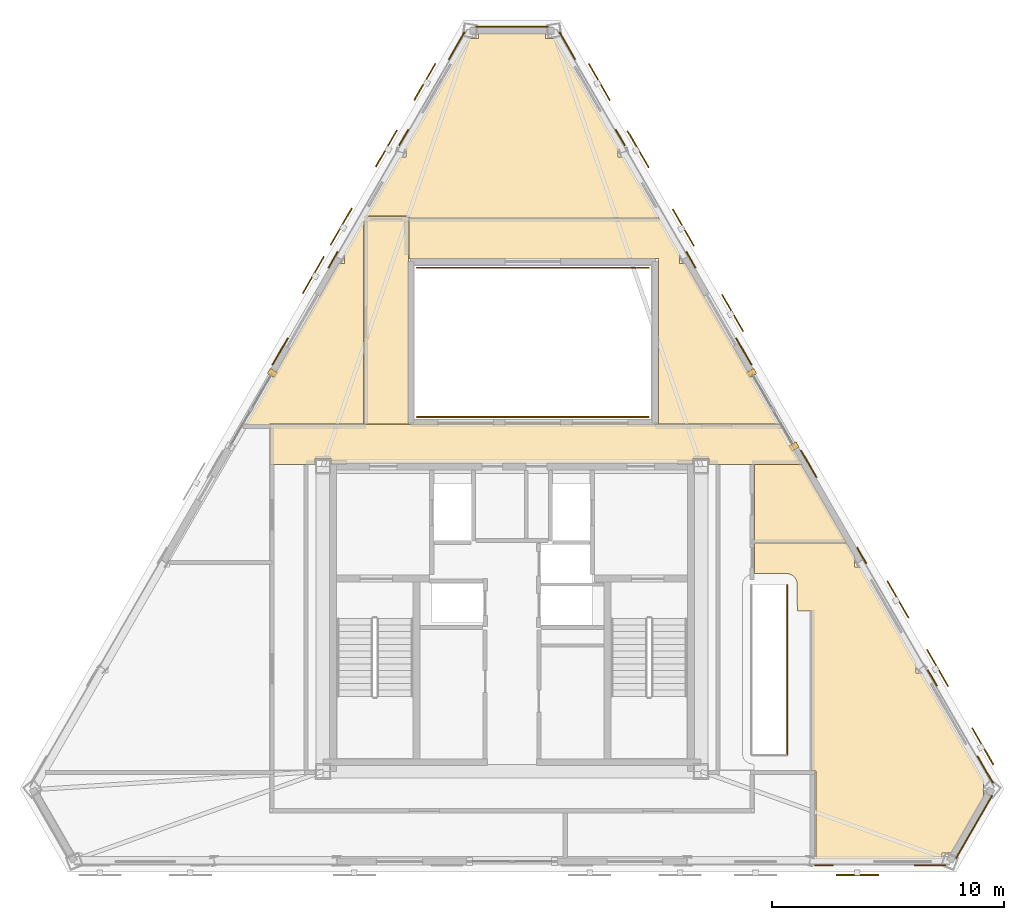
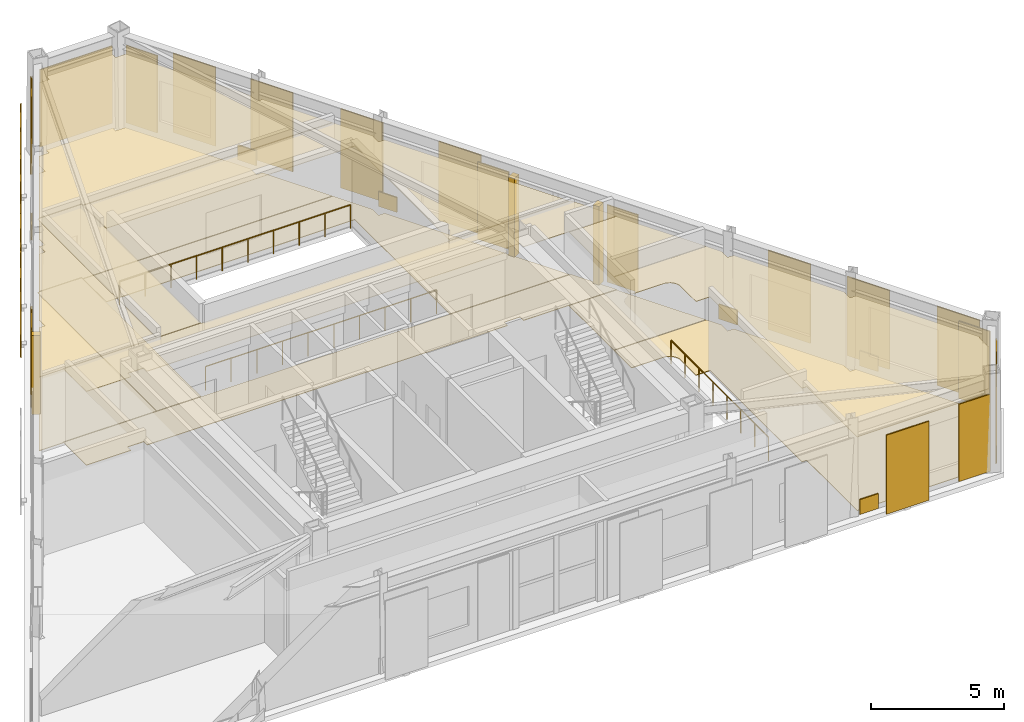
# One storey, part 14 of 14: 33 coverings, 12 shading devices, 3 railings.
"""IFC4 building model written with IfcOpenShell, lengths in metres."""

from ifc_helpers import new_model, si_unit, direction, frame, origin, origin_2d, place, context, subcontext, project, spatial, polyline, rectangle, circle, outline, extrude, material, layer, layer_set, type_object, element, save


model = new_model("IFC4")

# Units and contexts
model_context = context("Model", 3, precision=1e-05, world=origin(), true_north=direction((0.0, 1.0)))
body_context = subcontext(model_context, "Body", "Model", "MODEL_VIEW")
ifc_project = project(units=[si_unit("LENGTHUNIT", "METRE"), si_unit("AREAUNIT", "SQUARE_METRE"), si_unit("VOLUMEUNIT", "CUBIC_METRE"), si_unit("PLANEANGLEUNIT", "RADIAN"), si_unit("MASSUNIT", "GRAM", prefix="KILO")], contexts=[model_context])

# Site, building, storey
site_placement = place(None, origin())
site = spatial("IfcSite", under=ifc_project, at=site_placement, CompositionType="ELEMENT")
building_placement = place(site_placement, origin())
building = spatial("IfcBuilding", under=site, at=building_placement, Name="Oramaril Tower", CompositionType="ELEMENT")
storey_placement = place(building_placement, frame((0.0, 0.0, 309.60009765625)))
storey = spatial("IfcBuildingStorey", under=building, at=storey_placement, Name="L81", CompositionType="ELEMENT", Elevation=309.60009765625)

# Coverings
ifc_material_1 = material(Name="Mineral Fibre Acoustic Ceiling")
ifc_layer_1 = layer(ifc_material_1, 0.02001953125)
ifc_layer_set_1 = layer_set([ifc_layer_1], Name="CVT-CEIL")
covering_type_1 = type_object("IfcCoveringType", Name="CVT-CEIL", PredefinedType="CEILING", material=ifc_layer_set_1)
covering_1_placement = place(storey_placement, frame((0.0, 0.0, 3.371826171875)))
element("IfcCovering", 1, at=covering_1_placement, inside=storey, type_object=covering_type_1, Name="L81 Acoustic Suspended Ceiling 2", PredefinedType="CEILING", context=body_context, shape_type="SweptSolid", body=[
    extrude(outline(polyline([(27.070068359375, 25.9599609375), (49.036376953125, 25.9599609375), (50.029296875, 24.239990234375), (45.9951171875, 24.239990234375), (45.9951171875, 24.4951171875), (45.304931640625, 24.4951171875), (45.304931640625, 24.25), (29.695068359375, 24.25), (29.695068359375, 24.4951171875), (29.0048828125, 24.4951171875), (29.0048828125, 24.239990234375), (27.070068359375, 24.239990234375), (27.070068359375, 25.9599609375)])), origin(), (0.0, 0.0, 1.0), 0.02001953125),
])
covering_2_placement = place(storey_placement, frame((0.0, 0.0, 3.371826171875)))
element("IfcCovering", 2, at=covering_2_placement, inside=storey, type_object=covering_type_1, Name="L81 Acoustic Suspended Ceiling 4", PredefinedType="CEILING", context=body_context, shape_type="SweptSolid", body=[
    extrude(outline(polyline([(33.030029296875, 34.929931640625), (33.030029296875, 25.97998046875), (31.1201171875, 25.97998046875), (31.1201171875, 34.929931640625), (33.030029296875, 34.929931640625)])), origin(), (0.0, 0.0, 1.0), 0.02001953125),
])
covering_3_placement = place(storey_placement, frame((0.0, 0.0, 3.371826171875)))
element("IfcCovering", 3, at=covering_3_placement, inside=storey, type_object=covering_type_1, Name="L81 Acoustic Suspended Ceiling 10", PredefinedType="CEILING", context=body_context, shape_type="SweptSolid", body=[
    extrude(outline(polyline([(30.282470703125, 32.906005859375), (30.282470703125, 33.339111328125), (30.267822265625, 33.339111328125), (31.10009765625, 34.780517578125), (31.10009765625, 25.97998046875), (27.070068359375, 25.97998046875), (27.068115234375, 25.97998046875), (27.066162109375, 25.9794921875), (27.064208984375, 25.97900390625), (27.062255859375, 25.978515625), (27.060546875, 25.9775390625), (27.058837890625, 25.9765625), (27.057373046875, 25.9755859375), (27.055908203125, 25.97412109375), (27.054443359375, 25.97265625), (27.053466796875, 25.97119140625), (27.052490234375, 25.969482421875), (27.051513671875, 25.9677734375), (27.05078125, 25.9658203125), (27.05029296875, 25.9638671875), (27.050048828125, 25.9619140625), (27.050048828125, 25.9599609375), (27.050048828125, 25.94189453125), (25.997314453125, 25.94189453125), (30.017822265625, 32.906005859375), (30.282470703125, 32.906005859375)])), origin(), (0.0, 0.0, 1.0), 0.02001953125),
])
covering_4_placement = place(storey_placement, frame((0.0, 0.0, 3.371826171875)))
element("IfcCovering", 4, at=covering_4_placement, inside=storey, type_object=covering_type_1, Name="L81 Acoustic Suspended Ceiling 11", PredefinedType="CEILING", context=body_context, shape_type="SweptSolid", body=[
    extrude(outline(polyline([(51.93798828125, 20.85791015625), (47.949951171875, 20.85791015625), (47.949951171875, 24.219970703125), (49.9970703125, 24.219970703125), (51.93798828125, 20.85791015625)])), origin(), (0.0, 0.0, 1.0), 0.02001953125),
])
covering_5_placement = place(storey_placement, frame((0.0, 0.0, 3.371826171875)))
element("IfcCovering", 5, at=covering_5_placement, inside=storey, type_object=covering_type_1, Name="L81 Acoustic Suspended Ceiling 12", PredefinedType="CEILING", context=body_context, shape_type="SweptSolid", body=[
    extrude(outline(polyline([(52.28076171875, 20.2646484375), (52.274658203125, 20.2646484375), (52.274658203125, 19.816650390625), (52.539306640625, 19.816650390625), (54.922607421875, 15.6884765625), (54.919677734375, 15.6884765625), (54.919677734375, 15.235595703125), (55.18408203125, 15.235595703125), (57.876708984375, 10.572021484375), (57.828857421875, 10.572021484375), (57.828857421875, 9.88623046875), (57.85009765625, 9.88623046875), (56.46337890625, 7.484375), (56.051513671875, 7.484375), (56.051513671875, 7.21728515625), (50.612060546875, 7.21728515625), (50.612060546875, 10.991943359375), (50.61181640625, 10.993896484375), (50.611572265625, 10.995849609375), (50.611083984375, 10.997802734375), (50.610595703125, 10.999755859375), (50.609619140625, 11.00146484375), (50.608642578125, 11.003173828125), (50.607421875, 11.004638671875), (50.606201171875, 11.006103515625), (50.604736328125, 11.007568359375), (50.60302734375, 11.008544921875), (50.601318359375, 11.009521484375), (50.599609375, 11.010498046875), (50.597900390625, 11.010986328125), (50.595947265625, 11.01171875), (50.593994140625, 11.011962890625), (50.592041015625, 11.011962890625), (50.407958984375, 11.011962890625), (50.407958984375, 17.907958984375), (49.8037109375, 17.907958984375), (49.79248046875, 19.146240234375), (49.766357421875, 19.232421875), (49.72216796875, 19.314697265625), (49.662841796875, 19.38720703125), (49.591796875, 19.4453125), (49.461669921875, 19.507080078125), (49.37158203125, 19.52490234375), (47.949951171875, 19.52734375), (47.949951171875, 20.837890625), (51.93798828125, 20.837890625), (51.940185546875, 20.838134765625), (51.94189453125, 20.83837890625), (51.944091796875, 20.8388671875), (51.94580078125, 20.839599609375), (51.947509765625, 20.84033203125), (51.947998046875, 20.8408203125), (52.28076171875, 20.2646484375)])), origin(), (0.0, 0.0, 1.0), 0.02001953125),
])
covering_6_placement = place(storey_placement, frame((0.0, 0.0, 3.371826171875)))
element("IfcCovering", 6, at=covering_6_placement, inside=storey, type_object=covering_type_1, Name="L81 Acoustic Suspended Ceiling 13", PredefinedType="CEILING", context=body_context, shape_type="SweptSolid", body=[
    extrude(outline(polyline([(43.864501953125, 34.842041015625), (44.73193359375, 33.339111328125), (44.717529296875, 33.339111328125), (44.717529296875, 32.906005859375), (44.982177734375, 32.906005859375), (48.98095703125, 25.97998046875), (43.80810546875, 25.97998046875), (43.80810546875, 33.10791015625), (33.050048828125, 33.10791015625), (33.050048828125, 34.842041015625), (43.864501953125, 34.842041015625)])), origin(), (0.0, 0.0, 1.0), 0.02001953125),
])
covering_7_placement = place(storey_placement, frame((0.0, 0.0, 3.371826171875)))
element("IfcCovering", 7, at=covering_7_placement, inside=storey, type_object=covering_type_1, Name="L81 Acoustic Suspended Ceiling 14", PredefinedType="CEILING", context=body_context, shape_type="SweptSolid", body=[
    extrude(outline(polyline([(32.927490234375, 37.4873046875), (32.927490234375, 37.915283203125), (32.909912109375, 37.915283203125), (35.6201171875, 42.609375), (36.063720703125, 42.609375), (36.063720703125, 42.830810546875), (38.936279296875, 42.830810546875), (38.936279296875, 42.609375), (39.3798828125, 42.609375), (42.090087890625, 37.915283203125), (42.072509765625, 37.915283203125), (42.072509765625, 37.4873046875), (42.33740234375, 37.4873046875), (43.852783203125, 34.862060546875), (33.050048828125, 34.862060546875), (33.050048828125, 34.929931640625), (33.0498046875, 34.931884765625), (33.049560546875, 34.933837890625), (33.049072265625, 34.935791015625), (33.048583984375, 34.937744140625), (33.047607421875, 34.939453125), (33.046630859375, 34.941162109375), (33.04541015625, 34.942626953125), (33.044189453125, 34.944091796875), (33.042724609375, 34.945556640625), (33.041015625, 34.946533203125), (33.039306640625, 34.947509765625), (33.03759765625, 34.948486328125), (33.035888671875, 34.94921875), (33.033935546875, 34.94970703125), (33.031982421875, 34.949951171875), (33.030029296875, 34.949951171875), (31.197998046875, 34.949951171875), (32.662841796875, 37.4873046875), (32.927490234375, 37.4873046875)])), origin(), (0.0, 0.0, 1.0), 0.02001953125),
])
ifc_material_2 = material(Name="Warm Cream Limestone", Category="masonry")
ifc_layer_2 = layer(ifc_material_2, 0.050048828125)
ifc_layer_set_2 = layer_set([ifc_layer_2], Name="CVT-CLD")
covering_type_2 = type_object("IfcCoveringType", Name="CVT-CLD", PredefinedType="CLADDING", material=ifc_layer_set_2)
covering_8_placement = place(storey_placement, frame((55.521484375, 6.941162109375, 0.039794921875), z_axis=(0.0, 0.0, 1.0), x_axis=(1.0, 0.0, 0.0)))
element("IfcCovering", 8, at=covering_8_placement, inside=storey, type_object=covering_type_2, Name="L81 Warm Cream Limestone Cladding", PredefinedType="CLADDING", context=body_context, shape_type="SweptSolid", body=[
    extrude(rectangle(XDim=1.35009765625, YDim=0.050048828125, at=origin_2d()), origin(), (0.0, 0.0, 1.0), 3.5380859375),
])
covering_9_placement = place(storey_placement, frame((50.956787109375, 6.941162109375, 0.0400390625), z_axis=(0.0, 0.0, 1.0), x_axis=(1.0, 0.0, 0.0)))
element("IfcCovering", 9, at=covering_9_placement, inside=storey, type_object=covering_type_2, Name="L81 Warm Cream Limestone Spandrel Cladding", PredefinedType="CLADDING", context=body_context, shape_type="SweptSolid", body=[
    extrude(rectangle(XDim=0.800048828125, YDim=0.050048828125, at=origin_2d()), origin(), (0.0, 0.0, 1.0), 0.679931640625),
])
covering_10_placement = place(storey_placement, frame((57.42431640625, 8.5966796875, 0.039794921875), z_axis=(0.0, 0.0, 1.0), x_axis=(0.499989419466, 0.866031512372, 0.0)))
element("IfcCovering", 10, at=covering_10_placement, inside=storey, type_object=covering_type_2, Name="L81 Warm Cream Limestone Cladding", PredefinedType="CLADDING", context=body_context, shape_type="SweptSolid", body=[
    extrude(rectangle(XDim=3.129150390625, YDim=0.050048828125, at=origin_2d()), origin(), (0.0, 0.0, 1.0), 3.5380859375),
])
for number, where, z_axis, x_axis, name in (
    (11, (49.665283203125, 25.010498046875, 0.0), (0.0, 0.0, 1.0), (-0.5, 0.866025403784, 0.0), "L81 Curtain Wall Limestone Jamb Closure"),
    (12, (47.835205078125, 28.18017578125, 0.0), (0.0, 0.0, 1.0), (-0.5, 0.866025403784, 0.0), "L81 Curtain Wall Limestone Jamb Closure"),
):
    element("IfcCovering", number, at=place(storey_placement, frame(where, z_axis=z_axis, x_axis=x_axis)), inside=storey, type_object=covering_type_2, Name=name, PredefinedType="CLADDING", context=body_context, shape_type="SweptSolid", body=[
        extrude(rectangle(XDim=0.260009765625, YDim=0.340087890625, at=origin_2d()), origin(), (0.0, 0.0, 1.0), 3.617919921875),
    ])
for number, where, z_axis, x_axis, name in (
    (13, (57.906494140625, 11.072265625, 0.039794921875), (0.0, 0.0, 1.0), (-0.5, 0.866025403784, 0.0), "L81 Warm Cream Limestone Cladding"),
    (14, (50.2958984375, 24.25439453125, 0.039794921875), (0.0, 0.0, 1.0), (-0.5, 0.866025403784, 0.0), "L81 Warm Cream Limestone Cladding"),
):
    element("IfcCovering", number, at=place(storey_placement, frame(where, z_axis=z_axis, x_axis=x_axis)), inside=storey, type_object=covering_type_2, Name=name, PredefinedType="CLADDING", context=body_context, shape_type="SweptSolid", body=[
        extrude(rectangle(XDim=1.35009765625, YDim=0.050048828125, at=origin_2d()), origin(), (0.0, 0.0, 1.0), 3.5380859375),
    ])
for number, where, z_axis, x_axis, name in (
    (15, (55.6240234375, 15.025390625, 0.0400390625), (0.0, 0.0, 1.0), (-0.5, 0.866025403784, 0.0), "L81 Warm Cream Limestone Spandrel Cladding"),
    (16, (52.578369140625, 20.30126953125, 0.0400390625), (0.0, 0.0, 1.0), (-0.5, 0.866025403784, 0.0), "L81 Warm Cream Limestone Spandrel Cladding"),
):
    element("IfcCovering", number, at=place(storey_placement, frame(where, z_axis=z_axis, x_axis=x_axis)), inside=storey, type_object=covering_type_2, Name=name, PredefinedType="CLADDING", context=body_context, shape_type="SweptSolid", body=[
        extrude(rectangle(XDim=0.800048828125, YDim=0.050048828125, at=origin_2d()), origin(), (0.0, 0.0, 1.0), 0.679931640625),
    ])
for number, where, z_axis, x_axis, name in (
    (17, (47.495849609375, 29.104248046875, 0.039794921875), (0.0, 0.0, 1.0), (-0.5, 0.866025403784, 0.0), "L81 Warm Cream Limestone Cladding"),
    (18, (39.885009765625, 42.28662109375, 0.039794921875), (0.0, 0.0, 1.0), (-0.5, 0.866025403784, 0.0), "L81 Warm Cream Limestone Cladding"),
):
    element("IfcCovering", number, at=place(storey_placement, frame(where, z_axis=z_axis, x_axis=x_axis)), inside=storey, type_object=covering_type_2, Name=name, PredefinedType="CLADDING", context=body_context, shape_type="SweptSolid", body=[
        extrude(rectangle(XDim=1.35009765625, YDim=0.050048828125, at=origin_2d()), origin(), (0.0, 0.0, 1.0), 3.5380859375),
    ])
for number, where, z_axis, x_axis, name in (
    (19, (45.21337890625, 33.0576171875, 0.0400390625), (0.0, 0.0, 1.0), (-0.5, 0.866025403784, 0.0), "L81 Warm Cream Limestone Spandrel Cladding"),
    (20, (42.16748046875, 38.333251953125, 0.0400390625), (0.0, 0.0, 1.0), (-0.5, 0.866025403784, 0.0), "L81 Warm Cream Limestone Spandrel Cladding"),
):
    element("IfcCovering", number, at=place(storey_placement, frame(where, z_axis=z_axis, x_axis=x_axis)), inside=storey, type_object=covering_type_2, Name=name, PredefinedType="CLADDING", context=body_context, shape_type="SweptSolid", body=[
        extrude(rectangle(XDim=0.800048828125, YDim=0.050048828125, at=origin_2d()), origin(), (0.0, 0.0, 1.0), 0.679931640625),
    ])
covering_11_placement = place(storey_placement, frame((37.5, 43.106689453125, 0.039794921875), z_axis=(0.0, 0.0, 1.0), x_axis=(-1.0, 0.0, 0.0)))
element("IfcCovering", 21, at=covering_11_placement, inside=storey, type_object=covering_type_2, Name="L81 Warm Cream Limestone Cladding", PredefinedType="CLADDING", context=body_context, shape_type="SweptSolid", body=[
    extrude(rectangle(XDim=3.12890625, YDim=0.050048828125, at=origin_2d()), origin(), (0.0, 0.0, 1.0), 3.5380859375),
])
covering_12_placement = place(storey_placement, frame((27.164794921875, 28.180419921875, 0.0), z_axis=(0.0, 0.0, 1.0), x_axis=(-0.5, -0.866025403784, 0.0)))
element("IfcCovering", 22, at=covering_12_placement, inside=storey, type_object=covering_type_2, Name="L81 Curtain Wall Limestone Jamb Closure", PredefinedType="CLADDING", context=body_context, shape_type="SweptSolid", body=[
    extrude(rectangle(XDim=0.260009765625, YDim=0.340087890625, at=origin_2d()), origin(), (0.0, 0.0, 1.0), 3.617919921875),
])
for number, where, z_axis, x_axis, name in (
    (23, (35.114990234375, 42.28662109375, 0.039794921875), (0.0, 0.0, 1.0), (-0.5, -0.866025403784, 0.0), "L81 Warm Cream Limestone Cladding"),
    (24, (27.504150390625, 29.104248046875, 0.039794921875), (0.0, 0.0, 1.0), (-0.5, -0.866025403784, 0.0), "L81 Warm Cream Limestone Cladding"),
):
    element("IfcCovering", number, at=place(storey_placement, frame(where, z_axis=z_axis, x_axis=x_axis)), inside=storey, type_object=covering_type_2, Name=name, PredefinedType="CLADDING", context=body_context, shape_type="SweptSolid", body=[
        extrude(rectangle(XDim=1.35009765625, YDim=0.050048828125, at=origin_2d()), origin(), (0.0, 0.0, 1.0), 3.5380859375),
    ])
for number, where, z_axis, x_axis, name in (
    (25, (32.83251953125, 38.333251953125, 0.0400390625), (0.0, 0.0, 1.0), (-0.5, -0.866025403784, 0.0), "L81 Warm Cream Limestone Spandrel Cladding"),
    (26, (29.78662109375, 33.0576171875, 0.0400390625), (0.0, 0.0, 1.0), (-0.5, -0.866025403784, 0.0), "L81 Warm Cream Limestone Spandrel Cladding"),
):
    element("IfcCovering", number, at=place(storey_placement, frame(where, z_axis=z_axis, x_axis=x_axis)), inside=storey, type_object=covering_type_2, Name=name, PredefinedType="CLADDING", context=body_context, shape_type="SweptSolid", body=[
        extrude(rectangle(XDim=0.800048828125, YDim=0.050048828125, at=origin_2d()), origin(), (0.0, 0.0, 1.0), 0.679931640625),
    ])
ifc_material_3 = material(Name="Honed Quartzite Stone Flooring", Category="masonry")
ifc_layer_3 = layer(ifc_material_3, 0.02490234375)
ifc_layer_set_3 = layer_set([ifc_layer_3], Name="CVT-FLR")
covering_type_3 = type_object("IfcCoveringType", Name="CVT-FLR", PredefinedType="FLOORING", material=ifc_layer_set_3)
covering_13_placement = place(storey_placement, origin())
element("IfcCovering", 27, at=covering_13_placement, inside=storey, type_object=covering_type_3, Name="L81 Honed Stone Floor Finish 2", PredefinedType="FLOORING", context=body_context, shape_type="SweptSolid", body=[
    extrude(outline(polyline([(27.070068359375, 25.9599609375), (49.036376953125, 25.9599609375), (50.029296875, 24.239990234375), (45.9951171875, 24.239990234375), (45.9951171875, 24.4951171875), (45.304931640625, 24.4951171875), (45.304931640625, 24.25), (29.695068359375, 24.25), (29.695068359375, 24.4951171875), (29.0048828125, 24.4951171875), (29.0048828125, 24.239990234375), (27.070068359375, 24.239990234375), (27.070068359375, 25.9599609375)])), origin(), (0.0, 0.0, 1.0), 0.02490234375),
])
covering_14_placement = place(storey_placement, origin())
element("IfcCovering", 28, at=covering_14_placement, inside=storey, type_object=covering_type_3, Name="L81 Honed Stone Floor Finish 4", PredefinedType="FLOORING", context=body_context, shape_type="SweptSolid", body=[
    extrude(outline(polyline([(33.030029296875, 34.929931640625), (33.030029296875, 25.97998046875), (31.1201171875, 25.97998046875), (31.1201171875, 34.929931640625), (33.030029296875, 34.929931640625)])), origin(), (0.0, 0.0, 1.0), 0.02490234375),
])
covering_15_placement = place(storey_placement, origin())
element("IfcCovering", 29, at=covering_15_placement, inside=storey, type_object=covering_type_3, Name="L81 Honed Stone Floor Finish 10", PredefinedType="FLOORING", context=body_context, shape_type="SweptSolid", body=[
    extrude(outline(polyline([(30.282470703125, 32.906005859375), (30.282470703125, 33.339111328125), (30.267822265625, 33.339111328125), (31.10009765625, 34.780517578125), (31.10009765625, 25.97998046875), (27.070068359375, 25.97998046875), (27.068115234375, 25.97998046875), (27.066162109375, 25.9794921875), (27.064208984375, 25.97900390625), (27.062255859375, 25.978515625), (27.060546875, 25.9775390625), (27.058837890625, 25.9765625), (27.057373046875, 25.9755859375), (27.055908203125, 25.97412109375), (27.054443359375, 25.97265625), (27.053466796875, 25.97119140625), (27.052490234375, 25.969482421875), (27.051513671875, 25.9677734375), (27.05078125, 25.9658203125), (27.05029296875, 25.9638671875), (27.050048828125, 25.9619140625), (27.050048828125, 25.9599609375), (27.050048828125, 25.94189453125), (25.997314453125, 25.94189453125), (30.017822265625, 32.906005859375), (30.282470703125, 32.906005859375)])), origin(), (0.0, 0.0, 1.0), 0.02490234375),
])
covering_16_placement = place(storey_placement, origin())
element("IfcCovering", 30, at=covering_16_placement, inside=storey, type_object=covering_type_3, Name="L81 Honed Stone Floor Finish 11", PredefinedType="FLOORING", context=body_context, shape_type="SweptSolid", body=[
    extrude(outline(polyline([(51.93798828125, 20.85791015625), (47.949951171875, 20.85791015625), (47.949951171875, 24.219970703125), (49.9970703125, 24.219970703125), (51.93798828125, 20.85791015625)])), origin(), (0.0, 0.0, 1.0), 0.02490234375),
])
covering_17_placement = place(storey_placement, origin())
element("IfcCovering", 31, at=covering_17_placement, inside=storey, type_object=covering_type_3, Name="L81 Honed Stone Floor Finish 12", PredefinedType="FLOORING", context=body_context, shape_type="SweptSolid", body=[
    extrude(outline(polyline([(52.28076171875, 20.2646484375), (52.274658203125, 20.2646484375), (52.274658203125, 19.816650390625), (52.539306640625, 19.816650390625), (54.922607421875, 15.6884765625), (54.919677734375, 15.6884765625), (54.919677734375, 15.235595703125), (55.18408203125, 15.235595703125), (57.876708984375, 10.572021484375), (57.828857421875, 10.572021484375), (57.828857421875, 9.88623046875), (57.85009765625, 9.88623046875), (56.46337890625, 7.484375), (56.051513671875, 7.484375), (56.051513671875, 7.21728515625), (50.612060546875, 7.21728515625), (50.612060546875, 10.991943359375), (50.61181640625, 10.993896484375), (50.611572265625, 10.995849609375), (50.611083984375, 10.997802734375), (50.610595703125, 10.999755859375), (50.609619140625, 11.00146484375), (50.608642578125, 11.003173828125), (50.607421875, 11.004638671875), (50.606201171875, 11.006103515625), (50.604736328125, 11.007568359375), (50.60302734375, 11.008544921875), (50.601318359375, 11.009521484375), (50.599609375, 11.010498046875), (50.597900390625, 11.010986328125), (50.595947265625, 11.01171875), (50.593994140625, 11.011962890625), (50.592041015625, 11.011962890625), (50.407958984375, 11.011962890625), (50.407958984375, 17.907958984375), (49.8037109375, 17.907958984375), (49.79248046875, 19.146240234375), (49.766357421875, 19.232421875), (49.72216796875, 19.314697265625), (49.662841796875, 19.38720703125), (49.591796875, 19.4453125), (49.461669921875, 19.507080078125), (49.37158203125, 19.52490234375), (47.949951171875, 19.52734375), (47.949951171875, 20.837890625), (51.93798828125, 20.837890625), (51.940185546875, 20.838134765625), (51.94189453125, 20.83837890625), (51.944091796875, 20.8388671875), (51.94580078125, 20.839599609375), (51.947509765625, 20.84033203125), (51.947998046875, 20.8408203125), (52.28076171875, 20.2646484375)])), origin(), (0.0, 0.0, 1.0), 0.02490234375),
])
covering_18_placement = place(storey_placement, origin())
element("IfcCovering", 32, at=covering_18_placement, inside=storey, type_object=covering_type_3, Name="L81 Honed Stone Floor Finish 13", PredefinedType="FLOORING", context=body_context, shape_type="SweptSolid", body=[
    extrude(outline(polyline([(43.864501953125, 34.842041015625), (44.73193359375, 33.339111328125), (44.717529296875, 33.339111328125), (44.717529296875, 32.906005859375), (44.982177734375, 32.906005859375), (48.98095703125, 25.97998046875), (43.80810546875, 25.97998046875), (43.80810546875, 33.10791015625), (33.050048828125, 33.10791015625), (33.050048828125, 34.842041015625), (43.864501953125, 34.842041015625)])), origin(), (0.0, 0.0, 1.0), 0.02490234375),
])
covering_19_placement = place(storey_placement, origin())
element("IfcCovering", 33, at=covering_19_placement, inside=storey, type_object=covering_type_3, Name="L81 Honed Stone Floor Finish 14", PredefinedType="FLOORING", context=body_context, shape_type="SweptSolid", body=[
    extrude(outline(polyline([(32.927490234375, 37.4873046875), (32.927490234375, 37.915283203125), (32.909912109375, 37.915283203125), (35.6201171875, 42.609375), (36.063720703125, 42.609375), (36.063720703125, 42.830810546875), (38.936279296875, 42.830810546875), (38.936279296875, 42.609375), (39.3798828125, 42.609375), (42.090087890625, 37.915283203125), (42.072509765625, 37.915283203125), (42.072509765625, 37.4873046875), (42.33740234375, 37.4873046875), (43.852783203125, 34.862060546875), (33.050048828125, 34.862060546875), (33.050048828125, 34.929931640625), (33.0498046875, 34.931884765625), (33.049560546875, 34.933837890625), (33.049072265625, 34.935791015625), (33.048583984375, 34.937744140625), (33.047607421875, 34.939453125), (33.046630859375, 34.941162109375), (33.04541015625, 34.942626953125), (33.044189453125, 34.944091796875), (33.042724609375, 34.945556640625), (33.041015625, 34.946533203125), (33.039306640625, 34.947509765625), (33.03759765625, 34.948486328125), (33.035888671875, 34.94921875), (33.033935546875, 34.94970703125), (33.031982421875, 34.949951171875), (33.030029296875, 34.949951171875), (31.197998046875, 34.949951171875), (32.662841796875, 37.4873046875), (32.927490234375, 37.4873046875)])), origin(), (0.0, 0.0, 1.0), 0.02490234375),
])

# Railings
ifc_material_4 = material(Name="Stainless Steel 316L", Category="steel")
railing_type = type_object("IfcRailingType", Name="RLT-GRD", PredefinedType="GUARDRAIL", material=ifc_material_4)
for number, where, name in (
    (34, (33.39990234375, 26.280029296875, 0.0), "L81 Wind Portal Throat Edge Guardrail S"),
    (35, (33.39990234375, 32.719970703125, 0.0), "L81 Wind Portal Throat Edge Guardrail N"),
):
    element("IfcRailing", number, at=place(storey_placement, frame(where)), inside=storey, type_object=railing_type, Name=name, PredefinedType="GUARDRAIL", context=body_context, shape_type="SweptSolid", body=[
        extrude(circle(Radius=0.02392578125, at=origin_2d()), frame((0.0, 0.0, 1.076171875), z_axis=(1.0, 0.0, 0.0), x_axis=(0.0, 1.0, 0.0)), (0.0, 0.0, 1.0), 10.0),
        extrude(circle(Radius=0.02099609375, at=origin_2d()), origin(), (0.0, 0.0, 1.0), 1.052001953125),
        extrude(circle(Radius=0.02099609375, at=origin_2d()), frame((1.111083984375, 0.0, 0.0)), (0.0, 0.0, 1.0), 1.052001953125),
        extrude(circle(Radius=0.02099609375, at=origin_2d()), frame((2.22216796875, 0.0, 0.0)), (0.0, 0.0, 1.0), 1.052001953125),
        extrude(circle(Radius=0.02099609375, at=origin_2d()), frame((3.333251953125, 0.0, 0.0)), (0.0, 0.0, 1.0), 1.052001953125),
        extrude(circle(Radius=0.02099609375, at=origin_2d()), frame((4.4443359375, 0.0, 0.0)), (0.0, 0.0, 1.0), 1.052001953125),
        extrude(circle(Radius=0.02099609375, at=origin_2d()), frame((5.5556640625, 0.0, 0.0)), (0.0, 0.0, 1.0), 1.052001953125),
        extrude(circle(Radius=0.02099609375, at=origin_2d()), frame((6.666748046875, 0.0, 0.0)), (0.0, 0.0, 1.0), 1.052001953125),
        extrude(circle(Radius=0.02099609375, at=origin_2d()), frame((7.77783203125, 0.0, 0.0)), (0.0, 0.0, 1.0), 1.052001953125),
        extrude(circle(Radius=0.02099609375, at=origin_2d()), frame((8.888916015625, 0.0, 0.0)), (0.0, 0.0, 1.0), 1.052001953125),
        extrude(circle(Radius=0.02099609375, at=origin_2d()), frame((10.0, 0.0, 0.0)), (0.0, 0.0, 1.0), 1.052001953125),
    ])
railing_placement = place(storey_placement, frame((49.375, 11.719970703125, 0.0)))
element("IfcRailing", 36, at=railing_placement, inside=storey, type_object=railing_type, Name="L81 ST-8 Well Guard 3", PredefinedType="GUARDRAIL", context=body_context, shape_type="SweptSolid", body=[
    extrude(circle(Radius=0.02392578125, at=origin_2d()), frame((0.0, 0.0, 1.076171875), z_axis=(0.0, 1.0, 0.0), x_axis=(-1.0, 0.0, 0.0)), (0.0, 0.0, 1.0), 7.3095703125),
    extrude(circle(Radius=0.02099609375, at=origin_2d()), origin(), (0.0, 0.0, 1.0), 1.052001953125),
    extrude(circle(Radius=0.02099609375, at=origin_2d()), frame((0.0, 1.044189453125, 0.0)), (0.0, 0.0, 1.0), 1.052001953125),
    extrude(circle(Radius=0.02099609375, at=origin_2d()), frame((0.0, 2.08837890625, 0.0)), (0.0, 0.0, 1.0), 1.052001953125),
    extrude(circle(Radius=0.02099609375, at=origin_2d()), frame((0.0, 3.132568359375, 0.0)), (0.0, 0.0, 1.0), 1.052001953125),
    extrude(circle(Radius=0.02099609375, at=origin_2d()), frame((0.0, 4.177001953125, 0.0)), (0.0, 0.0, 1.0), 1.052001953125),
    extrude(circle(Radius=0.02099609375, at=origin_2d()), frame((0.0, 5.22119140625, 0.0)), (0.0, 0.0, 1.0), 1.052001953125),
    extrude(circle(Radius=0.02099609375, at=origin_2d()), frame((0.0, 6.265380859375, 0.0)), (0.0, 0.0, 1.0), 1.052001953125),
    extrude(circle(Radius=0.02099609375, at=origin_2d()), frame((0.0, 7.3095703125, 0.0)), (0.0, 0.0, 1.0), 1.052001953125),
])

# Shading devices
for number, where, z_axis, x_axis, name in (
    (37, (52.390625, 6.529296875, -0.02001953125), (0.0, 0.0, 1.0), (1.0, 0.0, 0.0), "L81 Perforated Ceramic Solar Screen"),
    (38, (57.802490234375, 12.07666015625, -0.02001953125), (0.0, 0.0, 1.0), (-0.500001511499, 0.866024531118, 0.0), "L81 Perforated Ceramic Solar Screen"),
    (39, (55.8525390625, 15.4541015625, -0.02001953125), (0.0, 0.0, 1.0), (-0.500001511499, 0.866024531118, 0.0), "L81 Perforated Ceramic Solar Screen"),
    (40, (54.144287109375, 18.41259765625, -0.02001953125), (0.0, 0.0, 1.0), (-0.500001511499, 0.866024531118, 0.0), "L81 Perforated Ceramic Solar Screen"),
    (41, (47.01318359375, 30.764404296875, -0.02001953125), (0.0, 0.0, 1.0), (-0.4999984885, 0.866026276448, 0.0), "L81 Perforated Ceramic Solar Screen"),
    (42, (44.8857421875, 34.448974609375, -0.02001953125), (0.0, 0.0, 1.0), (-0.4999984885, 0.866026276448, 0.0), "L81 Perforated Ceramic Solar Screen"),
    (43, (42.935791015625, 37.826416015625, -0.02001953125), (0.0, 0.0, 1.0), (-0.4999984885, 0.866026276448, 0.0), "L81 Perforated Ceramic Solar Screen"),
    (44, (41.264892578125, 40.720703125, -0.02001953125), (0.0, 0.0, 1.0), (-0.4999984885, 0.866026276448, 0.0), "L81 Perforated Ceramic Solar Screen"),
    (45, (28.933349609375, 32.40380859375, -0.02001953125), (0.0, 0.0, 1.0), (-0.500001511499, -0.866024531118, 0.0), "L81 Perforated Ceramic Solar Screen"),
    (46, (33.742431640625, 40.733154296875, -0.02001953125), (0.0, 0.0, 1.0), (-0.500001511499, -0.866024531118, 0.0), "L81 Perforated Ceramic Solar Screen"),
    (47, (32.0859375, 37.864013671875, -0.02001953125), (0.0, 0.0, 1.0), (-0.500001511499, -0.866024531118, 0.0), "L81 Perforated Ceramic Solar Screen"),
    (48, (30.135986328125, 34.486572265625, -0.02001953125), (0.0, 0.0, 1.0), (-0.500001511499, -0.866024531118, 0.0), "L81 Perforated Ceramic Solar Screen"),
):
    element("IfcShadingDevice", number, at=place(storey_placement, frame(where, z_axis=z_axis, x_axis=x_axis)), inside=storey, Name=name, ObjectType="SCREEN", PredefinedType="USERDEFINED", context=body_context, shape_type="SweptSolid", body=[
        extrude(rectangle(XDim=1.8330078125, YDim=0.050048828125, at=origin_2d()), origin(), (0.0, 0.0, 1.0), 3.617919921875),
    ])

save(model, "model.ifc")
